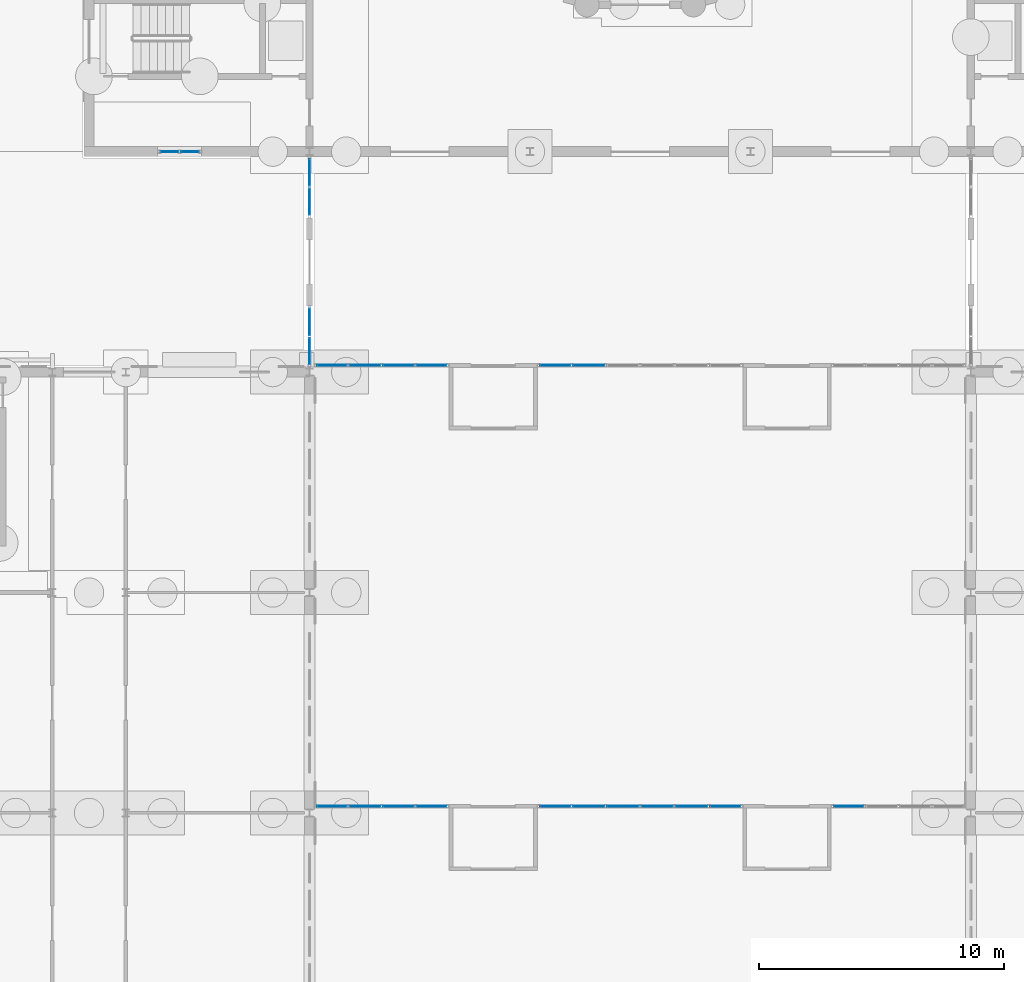
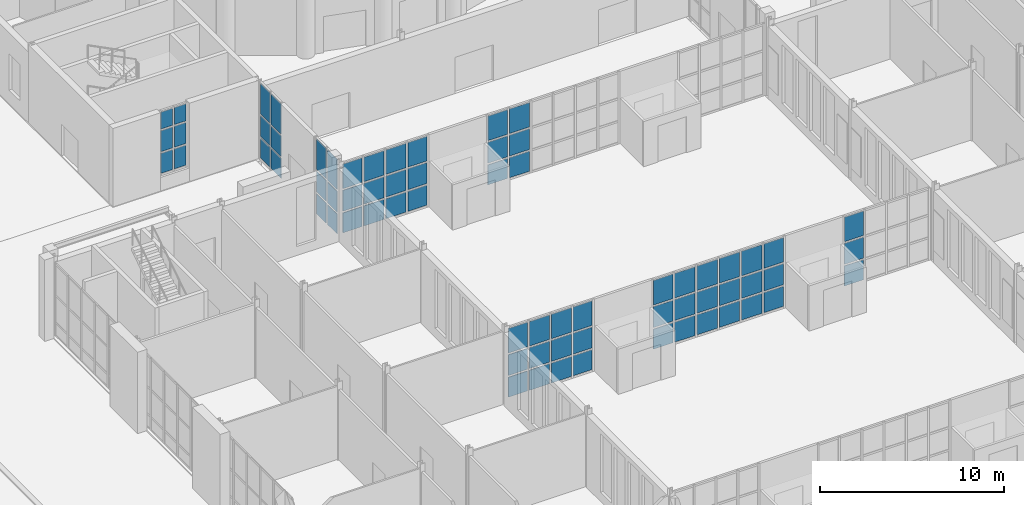
# One storey, part 77 of 168: 69 plates, 8 elements without a shape of their own.
"""IFC4 building model written with IfcOpenShell, lengths in metres."""

from ifc_helpers import new_model, si_unit, direction, frame, origin, origin_2d, place, context, subcontext, project, spatial, rectangle, extrude, material, layer, layer_set, type_object, element, aggregate, save


model = new_model("IFC4")

# Units and contexts
model_context = context("Model", 3, precision=1e-05, world=origin(), true_north=direction((0.0, 1.0)))
body_context = subcontext(model_context, "Body", "Model", "MODEL_VIEW")
ifc_project = project(units=[si_unit("LENGTHUNIT", "METRE"), si_unit("AREAUNIT", "SQUARE_METRE"), si_unit("VOLUMEUNIT", "CUBIC_METRE"), si_unit("PLANEANGLEUNIT", "RADIAN"), si_unit("MASSUNIT", "GRAM", prefix="KILO")], contexts=[model_context])

# Site, building, storey
site_placement = place(None, origin())
site = spatial("IfcSite", under=ifc_project, at=site_placement, CompositionType="ELEMENT")
building_placement = place(site_placement, origin())
building = spatial("IfcBuilding", under=site, at=building_placement, Name="Golden Quay Civic Hall", CompositionType="ELEMENT")
storey_placement = place(building_placement, origin())
storey = spatial("IfcBuildingStorey", under=building, at=storey_placement, Name="L00", CompositionType="ELEMENT", Elevation=0.0)

# Curtain wall, plates
ifc_material_1 = material(Name="Fire-resisting glass and steel", Category="steel")
curtain_wall_type_1 = type_object("IfcCurtainWallType", Name="Fire-resisting glazed curtain wall EI 120", PredefinedType="NOTDEFINED", material=ifc_material_1)
curtain_wall_1_placement = place(storey_placement, origin())
curtain_wall_1 = element("IfcCurtainWall", 1, at=curtain_wall_1_placement, inside=storey, type_object=curtain_wall_type_1, Name="CW3 curtain wall", PredefinedType="NOTDEFINED")
ifc_material_2 = material(Name="Fire-resisting laminated glass", Category="glass")
ifc_layer_1 = layer(ifc_material_2, 0.0400390625)
ifc_layer_set_1 = layer_set([ifc_layer_1], Name="Fire-resisting glazed panel 40")
plate_type_1 = type_object("IfcPlateType", Name="Fire-resisting glazed panel 40", PredefinedType="CURTAIN_PANEL", material=ifc_layer_set_1)
plate_1_placement = place(storey_placement, frame((72.91748046875, 36.27001953125, 0.1201171875), z_axis=(0.0, 0.0, 1.0), x_axis=(1.0, 0.0, 0.0)))
plate_1 = element("IfcPlate", 2, at=plate_1_placement, type_object=plate_type_1, Name="CW3 panel 1.1", PredefinedType="CURTAIN_PANEL", context=body_context, shape_type="SweptSolid", body=[
    extrude(rectangle(XDim=1.195068359375, YDim=0.0400390625, at=origin_2d()), origin(), (0.0, 0.0, 1.0), 1.320068359375),
])
plate_2_placement = place(storey_placement, frame((72.91748046875, 36.27001953125, 1.56005859375), z_axis=(0.0, 0.0, 1.0), x_axis=(1.0, 0.0, 0.0)))
plate_2 = element("IfcPlate", 3, at=plate_2_placement, type_object=plate_type_1, Name="CW3 panel 1.2", PredefinedType="CURTAIN_PANEL", context=body_context, shape_type="SweptSolid", body=[
    extrude(rectangle(XDim=1.195068359375, YDim=0.0400390625, at=origin_2d()), origin(), (0.0, 0.0, 1.0), 1.3798828125),
])
plate_3_placement = place(storey_placement, frame((72.91748046875, 36.27001953125, 3.06005859375), z_axis=(0.0, 0.0, 1.0), x_axis=(1.0, 0.0, 0.0)))
plate_3 = element("IfcPlate", 4, at=plate_3_placement, type_object=plate_type_1, Name="CW3 panel 1.3", PredefinedType="CURTAIN_PANEL", context=body_context, shape_type="SweptSolid", body=[
    extrude(rectangle(XDim=1.195068359375, YDim=0.0400390625, at=origin_2d()), origin(), (0.0, 0.0, 1.0), 1.6201171875),
])
plate_4_placement = place(storey_placement, frame((74.262451171875, 36.27001953125, 0.1201171875), z_axis=(0.0, 0.0, 1.0), x_axis=(1.0, 0.0, 0.0)))
plate_4 = element("IfcPlate", 5, at=plate_4_placement, type_object=plate_type_1, Name="CW3 panel 2.1", PredefinedType="CURTAIN_PANEL", context=body_context, shape_type="SweptSolid", body=[
    extrude(rectangle(XDim=1.2548828125, YDim=0.0400390625, at=origin_2d()), origin(), (0.0, 0.0, 1.0), 1.320068359375),
])
plate_5_placement = place(storey_placement, frame((74.262451171875, 36.27001953125, 1.56005859375), z_axis=(0.0, 0.0, 1.0), x_axis=(1.0, 0.0, 0.0)))
plate_5 = element("IfcPlate", 6, at=plate_5_placement, type_object=plate_type_1, Name="CW3 panel 2.2", PredefinedType="CURTAIN_PANEL", context=body_context, shape_type="SweptSolid", body=[
    extrude(rectangle(XDim=1.2548828125, YDim=0.0400390625, at=origin_2d()), origin(), (0.0, 0.0, 1.0), 1.3798828125),
])
plate_6_placement = place(storey_placement, frame((74.262451171875, 36.27001953125, 3.06005859375), z_axis=(0.0, 0.0, 1.0), x_axis=(1.0, 0.0, 0.0)))
plate_6 = element("IfcPlate", 7, at=plate_6_placement, type_object=plate_type_1, Name="CW3 panel 2.3", PredefinedType="CURTAIN_PANEL", context=body_context, shape_type="SweptSolid", body=[
    extrude(rectangle(XDim=1.2548828125, YDim=0.0400390625, at=origin_2d()), origin(), (0.0, 0.0, 1.0), 1.6201171875),
])
plate_7_placement = place(storey_placement, frame((75.637451171875, 36.27001953125, 0.1201171875), z_axis=(0.0, 0.0, 1.0), x_axis=(1.0, 0.0, 0.0)))
plate_7 = element("IfcPlate", 8, at=plate_7_placement, type_object=plate_type_1, Name="CW3 panel 3.1", PredefinedType="CURTAIN_PANEL", context=body_context, shape_type="SweptSolid", body=[
    extrude(rectangle(XDim=1.2548828125, YDim=0.0400390625, at=origin_2d()), origin(), (0.0, 0.0, 1.0), 1.320068359375),
])
plate_8_placement = place(storey_placement, frame((75.637451171875, 36.27001953125, 1.56005859375), z_axis=(0.0, 0.0, 1.0), x_axis=(1.0, 0.0, 0.0)))
plate_8 = element("IfcPlate", 9, at=plate_8_placement, type_object=plate_type_1, Name="CW3 panel 3.2", PredefinedType="CURTAIN_PANEL", context=body_context, shape_type="SweptSolid", body=[
    extrude(rectangle(XDim=1.2548828125, YDim=0.0400390625, at=origin_2d()), origin(), (0.0, 0.0, 1.0), 1.3798828125),
])
plate_9_placement = place(storey_placement, frame((75.637451171875, 36.27001953125, 3.06005859375), z_axis=(0.0, 0.0, 1.0), x_axis=(1.0, 0.0, 0.0)))
plate_9 = element("IfcPlate", 10, at=plate_9_placement, type_object=plate_type_1, Name="CW3 panel 3.3", PredefinedType="CURTAIN_PANEL", context=body_context, shape_type="SweptSolid", body=[
    extrude(rectangle(XDim=1.2548828125, YDim=0.0400390625, at=origin_2d()), origin(), (0.0, 0.0, 1.0), 1.6201171875),
])
plate_10_placement = place(storey_placement, frame((76.982421875, 36.27001953125, 0.1201171875), z_axis=(0.0, 0.0, 1.0), x_axis=(1.0, 0.0, 0.0)))
plate_10 = element("IfcPlate", 11, at=plate_10_placement, type_object=plate_type_1, Name="CW3 panel 4.1", PredefinedType="CURTAIN_PANEL", context=body_context, shape_type="SweptSolid", body=[
    extrude(rectangle(XDim=1.195068359375, YDim=0.0400390625, at=origin_2d()), origin(), (0.0, 0.0, 1.0), 1.320068359375),
])
plate_11_placement = place(storey_placement, frame((76.982421875, 36.27001953125, 1.56005859375), z_axis=(0.0, 0.0, 1.0), x_axis=(1.0, 0.0, 0.0)))
plate_11 = element("IfcPlate", 12, at=plate_11_placement, type_object=plate_type_1, Name="CW3 panel 4.2", PredefinedType="CURTAIN_PANEL", context=body_context, shape_type="SweptSolid", body=[
    extrude(rectangle(XDim=1.195068359375, YDim=0.0400390625, at=origin_2d()), origin(), (0.0, 0.0, 1.0), 1.3798828125),
])
plate_12_placement = place(storey_placement, frame((76.982421875, 36.27001953125, 3.06005859375), z_axis=(0.0, 0.0, 1.0), x_axis=(1.0, 0.0, 0.0)))
plate_12 = element("IfcPlate", 13, at=plate_12_placement, type_object=plate_type_1, Name="CW3 panel 4.3", PredefinedType="CURTAIN_PANEL", context=body_context, shape_type="SweptSolid", body=[
    extrude(rectangle(XDim=1.195068359375, YDim=0.0400390625, at=origin_2d()), origin(), (0.0, 0.0, 1.0), 1.6201171875),
])
aggregate(curtain_wall_1, [plate_1, plate_2, plate_3, plate_4, plate_5, plate_6, plate_7, plate_8, plate_9, plate_10, plate_11, plate_12])

curtain_wall_2_placement = place(storey_placement, origin())
curtain_wall_2 = element("IfcCurtainWall", 14, at=curtain_wall_2_placement, inside=storey, type_object=curtain_wall_type_1, Name="CW3 curtain wall", PredefinedType="NOTDEFINED")
plate_13_placement = place(storey_placement, frame((82.030029296875, 36.27001953125, 0.1201171875), z_axis=(0.0, 0.0, 1.0), x_axis=(1.0, 0.0, 0.0)))
plate_13 = element("IfcPlate", 15, at=plate_13_placement, type_object=plate_type_1, Name="CW3 panel 1.1", PredefinedType="CURTAIN_PANEL", context=body_context, shape_type="SweptSolid", body=[
    extrude(rectangle(XDim=1.219970703125, YDim=0.0400390625, at=origin_2d()), origin(), (0.0, 0.0, 1.0), 1.320068359375),
])
plate_14_placement = place(storey_placement, frame((82.030029296875, 36.27001953125, 1.56005859375), z_axis=(0.0, 0.0, 1.0), x_axis=(1.0, 0.0, 0.0)))
plate_14 = element("IfcPlate", 16, at=plate_14_placement, type_object=plate_type_1, Name="CW3 panel 1.2", PredefinedType="CURTAIN_PANEL", context=body_context, shape_type="SweptSolid", body=[
    extrude(rectangle(XDim=1.219970703125, YDim=0.0400390625, at=origin_2d()), origin(), (0.0, 0.0, 1.0), 1.3798828125),
])
plate_15_placement = place(storey_placement, frame((82.030029296875, 36.27001953125, 3.06005859375), z_axis=(0.0, 0.0, 1.0), x_axis=(1.0, 0.0, 0.0)))
plate_15 = element("IfcPlate", 17, at=plate_15_placement, type_object=plate_type_1, Name="CW3 panel 1.3", PredefinedType="CURTAIN_PANEL", context=body_context, shape_type="SweptSolid", body=[
    extrude(rectangle(XDim=1.219970703125, YDim=0.0400390625, at=origin_2d()), origin(), (0.0, 0.0, 1.0), 1.6201171875),
])
plate_16_placement = place(storey_placement, frame((83.39990234375, 36.27001953125, 0.1201171875), z_axis=(0.0, 0.0, 1.0), x_axis=(1.0, 0.0, 0.0)))
plate_16 = element("IfcPlate", 18, at=plate_16_placement, type_object=plate_type_1, Name="CW3 panel 2.1", PredefinedType="CURTAIN_PANEL", context=body_context, shape_type="SweptSolid", body=[
    extrude(rectangle(XDim=1.280029296875, YDim=0.0400390625, at=origin_2d()), origin(), (0.0, 0.0, 1.0), 1.320068359375),
])
plate_17_placement = place(storey_placement, frame((83.39990234375, 36.27001953125, 1.56005859375), z_axis=(0.0, 0.0, 1.0), x_axis=(1.0, 0.0, 0.0)))
plate_17 = element("IfcPlate", 19, at=plate_17_placement, type_object=plate_type_1, Name="CW3 panel 2.2", PredefinedType="CURTAIN_PANEL", context=body_context, shape_type="SweptSolid", body=[
    extrude(rectangle(XDim=1.280029296875, YDim=0.0400390625, at=origin_2d()), origin(), (0.0, 0.0, 1.0), 1.3798828125),
])
plate_18_placement = place(storey_placement, frame((83.39990234375, 36.27001953125, 3.06005859375), z_axis=(0.0, 0.0, 1.0), x_axis=(1.0, 0.0, 0.0)))
plate_18 = element("IfcPlate", 20, at=plate_18_placement, type_object=plate_type_1, Name="CW3 panel 2.3", PredefinedType="CURTAIN_PANEL", context=body_context, shape_type="SweptSolid", body=[
    extrude(rectangle(XDim=1.280029296875, YDim=0.0400390625, at=origin_2d()), origin(), (0.0, 0.0, 1.0), 1.6201171875),
])
plate_19_placement = place(storey_placement, frame((84.800048828125, 36.27001953125, 0.1201171875), z_axis=(0.0, 0.0, 1.0), x_axis=(1.0, 0.0, 0.0)))
plate_19 = element("IfcPlate", 21, at=plate_19_placement, type_object=plate_type_1, Name="CW3 panel 3.1", PredefinedType="CURTAIN_PANEL", context=body_context, shape_type="SweptSolid", body=[
    extrude(rectangle(XDim=1.280029296875, YDim=0.0400390625, at=origin_2d()), origin(), (0.0, 0.0, 1.0), 1.320068359375),
])
plate_20_placement = place(storey_placement, frame((84.800048828125, 36.27001953125, 1.56005859375), z_axis=(0.0, 0.0, 1.0), x_axis=(1.0, 0.0, 0.0)))
plate_20 = element("IfcPlate", 22, at=plate_20_placement, type_object=plate_type_1, Name="CW3 panel 3.2", PredefinedType="CURTAIN_PANEL", context=body_context, shape_type="SweptSolid", body=[
    extrude(rectangle(XDim=1.280029296875, YDim=0.0400390625, at=origin_2d()), origin(), (0.0, 0.0, 1.0), 1.3798828125),
])
plate_21_placement = place(storey_placement, frame((84.800048828125, 36.27001953125, 3.06005859375), z_axis=(0.0, 0.0, 1.0), x_axis=(1.0, 0.0, 0.0)))
plate_21 = element("IfcPlate", 23, at=plate_21_placement, type_object=plate_type_1, Name="CW3 panel 3.3", PredefinedType="CURTAIN_PANEL", context=body_context, shape_type="SweptSolid", body=[
    extrude(rectangle(XDim=1.280029296875, YDim=0.0400390625, at=origin_2d()), origin(), (0.0, 0.0, 1.0), 1.6201171875),
])
plate_22_placement = place(storey_placement, frame((86.199951171875, 36.27001953125, 0.1201171875), z_axis=(0.0, 0.0, 1.0), x_axis=(1.0, 0.0, 0.0)))
plate_22 = element("IfcPlate", 24, at=plate_22_placement, type_object=plate_type_1, Name="CW3 panel 4.1", PredefinedType="CURTAIN_PANEL", context=body_context, shape_type="SweptSolid", body=[
    extrude(rectangle(XDim=1.280029296875, YDim=0.0400390625, at=origin_2d()), origin(), (0.0, 0.0, 1.0), 1.320068359375),
])
plate_23_placement = place(storey_placement, frame((86.199951171875, 36.27001953125, 1.56005859375), z_axis=(0.0, 0.0, 1.0), x_axis=(1.0, 0.0, 0.0)))
plate_23 = element("IfcPlate", 25, at=plate_23_placement, type_object=plate_type_1, Name="CW3 panel 4.2", PredefinedType="CURTAIN_PANEL", context=body_context, shape_type="SweptSolid", body=[
    extrude(rectangle(XDim=1.280029296875, YDim=0.0400390625, at=origin_2d()), origin(), (0.0, 0.0, 1.0), 1.3798828125),
])
plate_24_placement = place(storey_placement, frame((86.199951171875, 36.27001953125, 3.06005859375), z_axis=(0.0, 0.0, 1.0), x_axis=(1.0, 0.0, 0.0)))
plate_24 = element("IfcPlate", 26, at=plate_24_placement, type_object=plate_type_1, Name="CW3 panel 4.3", PredefinedType="CURTAIN_PANEL", context=body_context, shape_type="SweptSolid", body=[
    extrude(rectangle(XDim=1.280029296875, YDim=0.0400390625, at=origin_2d()), origin(), (0.0, 0.0, 1.0), 1.6201171875),
])
plate_25_placement = place(storey_placement, frame((87.60009765625, 36.27001953125, 0.1201171875), z_axis=(0.0, 0.0, 1.0), x_axis=(1.0, 0.0, 0.0)))
plate_25 = element("IfcPlate", 27, at=plate_25_placement, type_object=plate_type_1, Name="CW3 panel 5.1", PredefinedType="CURTAIN_PANEL", context=body_context, shape_type="SweptSolid", body=[
    extrude(rectangle(XDim=1.280029296875, YDim=0.0400390625, at=origin_2d()), origin(), (0.0, 0.0, 1.0), 1.320068359375),
])
plate_26_placement = place(storey_placement, frame((87.60009765625, 36.27001953125, 1.56005859375), z_axis=(0.0, 0.0, 1.0), x_axis=(1.0, 0.0, 0.0)))
plate_26 = element("IfcPlate", 28, at=plate_26_placement, type_object=plate_type_1, Name="CW3 panel 5.2", PredefinedType="CURTAIN_PANEL", context=body_context, shape_type="SweptSolid", body=[
    extrude(rectangle(XDim=1.280029296875, YDim=0.0400390625, at=origin_2d()), origin(), (0.0, 0.0, 1.0), 1.3798828125),
])
plate_27_placement = place(storey_placement, frame((87.60009765625, 36.27001953125, 3.06005859375), z_axis=(0.0, 0.0, 1.0), x_axis=(1.0, 0.0, 0.0)))
plate_27 = element("IfcPlate", 29, at=plate_27_placement, type_object=plate_type_1, Name="CW3 panel 5.3", PredefinedType="CURTAIN_PANEL", context=body_context, shape_type="SweptSolid", body=[
    extrude(rectangle(XDim=1.280029296875, YDim=0.0400390625, at=origin_2d()), origin(), (0.0, 0.0, 1.0), 1.6201171875),
])
plate_28_placement = place(storey_placement, frame((88.969970703125, 36.27001953125, 0.1201171875), z_axis=(0.0, 0.0, 1.0), x_axis=(1.0, 0.0, 0.0)))
plate_28 = element("IfcPlate", 30, at=plate_28_placement, type_object=plate_type_1, Name="CW3 panel 6.1", PredefinedType="CURTAIN_PANEL", context=body_context, shape_type="SweptSolid", body=[
    extrude(rectangle(XDim=1.219970703125, YDim=0.0400390625, at=origin_2d()), origin(), (0.0, 0.0, 1.0), 1.320068359375),
])
plate_29_placement = place(storey_placement, frame((88.969970703125, 36.27001953125, 1.56005859375), z_axis=(0.0, 0.0, 1.0), x_axis=(1.0, 0.0, 0.0)))
plate_29 = element("IfcPlate", 31, at=plate_29_placement, type_object=plate_type_1, Name="CW3 panel 6.2", PredefinedType="CURTAIN_PANEL", context=body_context, shape_type="SweptSolid", body=[
    extrude(rectangle(XDim=1.219970703125, YDim=0.0400390625, at=origin_2d()), origin(), (0.0, 0.0, 1.0), 1.3798828125),
])
plate_30_placement = place(storey_placement, frame((88.969970703125, 36.27001953125, 3.06005859375), z_axis=(0.0, 0.0, 1.0), x_axis=(1.0, 0.0, 0.0)))
plate_30 = element("IfcPlate", 32, at=plate_30_placement, type_object=plate_type_1, Name="CW3 panel 6.3", PredefinedType="CURTAIN_PANEL", context=body_context, shape_type="SweptSolid", body=[
    extrude(rectangle(XDim=1.219970703125, YDim=0.0400390625, at=origin_2d()), origin(), (0.0, 0.0, 1.0), 1.6201171875),
])
aggregate(curtain_wall_2, [plate_13, plate_14, plate_15, plate_16, plate_17, plate_18, plate_19, plate_20, plate_21, plate_22, plate_23, plate_24, plate_25, plate_26, plate_27, plate_28, plate_29, plate_30])

curtain_wall_3_placement = place(storey_placement, origin())
curtain_wall_3 = element("IfcCurtainWall", 33, at=curtain_wall_3_placement, inside=storey, type_object=curtain_wall_type_1, Name="CW3 curtain wall", PredefinedType="NOTDEFINED")
plate_31_placement = place(storey_placement, frame((94.017578125, 36.27001953125, 0.1201171875), z_axis=(0.0, 0.0, 1.0), x_axis=(1.0, 0.0, 0.0)))
plate_31 = element("IfcPlate", 34, at=plate_31_placement, type_object=plate_type_1, Name="CW3 panel 1.1", PredefinedType="CURTAIN_PANEL", context=body_context, shape_type="SweptSolid", body=[
    extrude(rectangle(XDim=1.195068359375, YDim=0.0400390625, at=origin_2d()), origin(), (0.0, 0.0, 1.0), 1.320068359375),
])
plate_32_placement = place(storey_placement, frame((94.017578125, 36.27001953125, 1.56005859375), z_axis=(0.0, 0.0, 1.0), x_axis=(1.0, 0.0, 0.0)))
plate_32 = element("IfcPlate", 35, at=plate_32_placement, type_object=plate_type_1, Name="CW3 panel 1.2", PredefinedType="CURTAIN_PANEL", context=body_context, shape_type="SweptSolid", body=[
    extrude(rectangle(XDim=1.195068359375, YDim=0.0400390625, at=origin_2d()), origin(), (0.0, 0.0, 1.0), 1.3798828125),
])
plate_33_placement = place(storey_placement, frame((94.017578125, 36.27001953125, 3.06005859375), z_axis=(0.0, 0.0, 1.0), x_axis=(1.0, 0.0, 0.0)))
plate_33 = element("IfcPlate", 36, at=plate_33_placement, type_object=plate_type_1, Name="CW3 panel 1.3", PredefinedType="CURTAIN_PANEL", context=body_context, shape_type="SweptSolid", body=[
    extrude(rectangle(XDim=1.195068359375, YDim=0.0400390625, at=origin_2d()), origin(), (0.0, 0.0, 1.0), 1.6201171875),
])
aggregate(curtain_wall_3, [plate_31, plate_32, plate_33])

curtain_wall_4_placement = place(storey_placement, origin())
curtain_wall_4 = element("IfcCurtainWall", 37, at=curtain_wall_4_placement, inside=storey, type_object=curtain_wall_type_1, Name="CW3 curtain wall", PredefinedType="NOTDEFINED")
plate_34_placement = place(storey_placement, frame((72.91748046875, 54.27001953125, 0.1201171875), z_axis=(0.0, 0.0, 1.0), x_axis=(1.0, 0.0, 0.0)))
plate_34 = element("IfcPlate", 38, at=plate_34_placement, type_object=plate_type_1, Name="CW3 panel 1.1", PredefinedType="CURTAIN_PANEL", context=body_context, shape_type="SweptSolid", body=[
    extrude(rectangle(XDim=1.195068359375, YDim=0.0400390625, at=origin_2d()), origin(), (0.0, 0.0, 1.0), 1.320068359375),
])
plate_35_placement = place(storey_placement, frame((72.91748046875, 54.27001953125, 1.56005859375), z_axis=(0.0, 0.0, 1.0), x_axis=(1.0, 0.0, 0.0)))
plate_35 = element("IfcPlate", 39, at=plate_35_placement, type_object=plate_type_1, Name="CW3 panel 1.2", PredefinedType="CURTAIN_PANEL", context=body_context, shape_type="SweptSolid", body=[
    extrude(rectangle(XDim=1.195068359375, YDim=0.0400390625, at=origin_2d()), origin(), (0.0, 0.0, 1.0), 1.3798828125),
])
plate_36_placement = place(storey_placement, frame((72.91748046875, 54.27001953125, 3.06005859375), z_axis=(0.0, 0.0, 1.0), x_axis=(1.0, 0.0, 0.0)))
plate_36 = element("IfcPlate", 40, at=plate_36_placement, type_object=plate_type_1, Name="CW3 panel 1.3", PredefinedType="CURTAIN_PANEL", context=body_context, shape_type="SweptSolid", body=[
    extrude(rectangle(XDim=1.195068359375, YDim=0.0400390625, at=origin_2d()), origin(), (0.0, 0.0, 1.0), 1.6201171875),
])
plate_37_placement = place(storey_placement, frame((74.262451171875, 54.27001953125, 0.1201171875), z_axis=(0.0, 0.0, 1.0), x_axis=(1.0, 0.0, 0.0)))
plate_37 = element("IfcPlate", 41, at=plate_37_placement, type_object=plate_type_1, Name="CW3 panel 2.1", PredefinedType="CURTAIN_PANEL", context=body_context, shape_type="SweptSolid", body=[
    extrude(rectangle(XDim=1.2548828125, YDim=0.0400390625, at=origin_2d()), origin(), (0.0, 0.0, 1.0), 1.320068359375),
])
plate_38_placement = place(storey_placement, frame((74.262451171875, 54.27001953125, 1.56005859375), z_axis=(0.0, 0.0, 1.0), x_axis=(1.0, 0.0, 0.0)))
plate_38 = element("IfcPlate", 42, at=plate_38_placement, type_object=plate_type_1, Name="CW3 panel 2.2", PredefinedType="CURTAIN_PANEL", context=body_context, shape_type="SweptSolid", body=[
    extrude(rectangle(XDim=1.2548828125, YDim=0.0400390625, at=origin_2d()), origin(), (0.0, 0.0, 1.0), 1.3798828125),
])
plate_39_placement = place(storey_placement, frame((74.262451171875, 54.27001953125, 3.06005859375), z_axis=(0.0, 0.0, 1.0), x_axis=(1.0, 0.0, 0.0)))
plate_39 = element("IfcPlate", 43, at=plate_39_placement, type_object=plate_type_1, Name="CW3 panel 2.3", PredefinedType="CURTAIN_PANEL", context=body_context, shape_type="SweptSolid", body=[
    extrude(rectangle(XDim=1.2548828125, YDim=0.0400390625, at=origin_2d()), origin(), (0.0, 0.0, 1.0), 1.6201171875),
])
plate_40_placement = place(storey_placement, frame((75.637451171875, 54.27001953125, 0.1201171875), z_axis=(0.0, 0.0, 1.0), x_axis=(1.0, 0.0, 0.0)))
plate_40 = element("IfcPlate", 44, at=plate_40_placement, type_object=plate_type_1, Name="CW3 panel 3.1", PredefinedType="CURTAIN_PANEL", context=body_context, shape_type="SweptSolid", body=[
    extrude(rectangle(XDim=1.2548828125, YDim=0.0400390625, at=origin_2d()), origin(), (0.0, 0.0, 1.0), 1.320068359375),
])
plate_41_placement = place(storey_placement, frame((75.637451171875, 54.27001953125, 1.56005859375), z_axis=(0.0, 0.0, 1.0), x_axis=(1.0, 0.0, 0.0)))
plate_41 = element("IfcPlate", 45, at=plate_41_placement, type_object=plate_type_1, Name="CW3 panel 3.2", PredefinedType="CURTAIN_PANEL", context=body_context, shape_type="SweptSolid", body=[
    extrude(rectangle(XDim=1.2548828125, YDim=0.0400390625, at=origin_2d()), origin(), (0.0, 0.0, 1.0), 1.3798828125),
])
plate_42_placement = place(storey_placement, frame((75.637451171875, 54.27001953125, 3.06005859375), z_axis=(0.0, 0.0, 1.0), x_axis=(1.0, 0.0, 0.0)))
plate_42 = element("IfcPlate", 46, at=plate_42_placement, type_object=plate_type_1, Name="CW3 panel 3.3", PredefinedType="CURTAIN_PANEL", context=body_context, shape_type="SweptSolid", body=[
    extrude(rectangle(XDim=1.2548828125, YDim=0.0400390625, at=origin_2d()), origin(), (0.0, 0.0, 1.0), 1.6201171875),
])
plate_43_placement = place(storey_placement, frame((76.982421875, 54.27001953125, 0.1201171875), z_axis=(0.0, 0.0, 1.0), x_axis=(1.0, 0.0, 0.0)))
plate_43 = element("IfcPlate", 47, at=plate_43_placement, type_object=plate_type_1, Name="CW3 panel 4.1", PredefinedType="CURTAIN_PANEL", context=body_context, shape_type="SweptSolid", body=[
    extrude(rectangle(XDim=1.195068359375, YDim=0.0400390625, at=origin_2d()), origin(), (0.0, 0.0, 1.0), 1.320068359375),
])
plate_44_placement = place(storey_placement, frame((76.982421875, 54.27001953125, 1.56005859375), z_axis=(0.0, 0.0, 1.0), x_axis=(1.0, 0.0, 0.0)))
plate_44 = element("IfcPlate", 48, at=plate_44_placement, type_object=plate_type_1, Name="CW3 panel 4.2", PredefinedType="CURTAIN_PANEL", context=body_context, shape_type="SweptSolid", body=[
    extrude(rectangle(XDim=1.195068359375, YDim=0.0400390625, at=origin_2d()), origin(), (0.0, 0.0, 1.0), 1.3798828125),
])
plate_45_placement = place(storey_placement, frame((76.982421875, 54.27001953125, 3.06005859375), z_axis=(0.0, 0.0, 1.0), x_axis=(1.0, 0.0, 0.0)))
plate_45 = element("IfcPlate", 49, at=plate_45_placement, type_object=plate_type_1, Name="CW3 panel 4.3", PredefinedType="CURTAIN_PANEL", context=body_context, shape_type="SweptSolid", body=[
    extrude(rectangle(XDim=1.195068359375, YDim=0.0400390625, at=origin_2d()), origin(), (0.0, 0.0, 1.0), 1.6201171875),
])
aggregate(curtain_wall_4, [plate_34, plate_35, plate_36, plate_37, plate_38, plate_39, plate_40, plate_41, plate_42, plate_43, plate_44, plate_45])

curtain_wall_5_placement = place(storey_placement, origin())
curtain_wall_5 = element("IfcCurtainWall", 50, at=curtain_wall_5_placement, inside=storey, type_object=curtain_wall_type_1, Name="CW3 curtain wall", PredefinedType="NOTDEFINED")
plate_46_placement = place(storey_placement, frame((82.030029296875, 54.27001953125, 0.1201171875), z_axis=(0.0, 0.0, 1.0), x_axis=(1.0, 0.0, 0.0)))
plate_46 = element("IfcPlate", 51, at=plate_46_placement, type_object=plate_type_1, Name="CW3 panel 1.1", PredefinedType="CURTAIN_PANEL", context=body_context, shape_type="SweptSolid", body=[
    extrude(rectangle(XDim=1.219970703125, YDim=0.0400390625, at=origin_2d()), origin(), (0.0, 0.0, 1.0), 1.320068359375),
])
plate_47_placement = place(storey_placement, frame((82.030029296875, 54.27001953125, 1.56005859375), z_axis=(0.0, 0.0, 1.0), x_axis=(1.0, 0.0, 0.0)))
plate_47 = element("IfcPlate", 52, at=plate_47_placement, type_object=plate_type_1, Name="CW3 panel 1.2", PredefinedType="CURTAIN_PANEL", context=body_context, shape_type="SweptSolid", body=[
    extrude(rectangle(XDim=1.219970703125, YDim=0.0400390625, at=origin_2d()), origin(), (0.0, 0.0, 1.0), 1.3798828125),
])
plate_48_placement = place(storey_placement, frame((82.030029296875, 54.27001953125, 3.06005859375), z_axis=(0.0, 0.0, 1.0), x_axis=(1.0, 0.0, 0.0)))
plate_48 = element("IfcPlate", 53, at=plate_48_placement, type_object=plate_type_1, Name="CW3 panel 1.3", PredefinedType="CURTAIN_PANEL", context=body_context, shape_type="SweptSolid", body=[
    extrude(rectangle(XDim=1.219970703125, YDim=0.0400390625, at=origin_2d()), origin(), (0.0, 0.0, 1.0), 1.6201171875),
])
plate_49_placement = place(storey_placement, frame((83.39990234375, 54.27001953125, 0.1201171875), z_axis=(0.0, 0.0, 1.0), x_axis=(1.0, 0.0, 0.0)))
plate_49 = element("IfcPlate", 54, at=plate_49_placement, type_object=plate_type_1, Name="CW3 panel 2.1", PredefinedType="CURTAIN_PANEL", context=body_context, shape_type="SweptSolid", body=[
    extrude(rectangle(XDim=1.280029296875, YDim=0.0400390625, at=origin_2d()), origin(), (0.0, 0.0, 1.0), 1.320068359375),
])
plate_50_placement = place(storey_placement, frame((83.39990234375, 54.27001953125, 1.56005859375), z_axis=(0.0, 0.0, 1.0), x_axis=(1.0, 0.0, 0.0)))
plate_50 = element("IfcPlate", 55, at=plate_50_placement, type_object=plate_type_1, Name="CW3 panel 2.2", PredefinedType="CURTAIN_PANEL", context=body_context, shape_type="SweptSolid", body=[
    extrude(rectangle(XDim=1.280029296875, YDim=0.0400390625, at=origin_2d()), origin(), (0.0, 0.0, 1.0), 1.3798828125),
])
plate_51_placement = place(storey_placement, frame((83.39990234375, 54.27001953125, 3.06005859375), z_axis=(0.0, 0.0, 1.0), x_axis=(1.0, 0.0, 0.0)))
plate_51 = element("IfcPlate", 56, at=plate_51_placement, type_object=plate_type_1, Name="CW3 panel 2.3", PredefinedType="CURTAIN_PANEL", context=body_context, shape_type="SweptSolid", body=[
    extrude(rectangle(XDim=1.280029296875, YDim=0.0400390625, at=origin_2d()), origin(), (0.0, 0.0, 1.0), 1.6201171875),
])
aggregate(curtain_wall_5, [plate_46, plate_47, plate_48, plate_49, plate_50, plate_51])

ifc_material_3 = material(Name="Fire-resisting glass and steel", Category="steel")
curtain_wall_type_2 = type_object("IfcCurtainWallType", Name="Fire-resisting glazed stair curtain wall EI 120", PredefinedType="NOTDEFINED", material=ifc_material_3)
curtain_wall_6_placement = place(storey_placement, origin())
curtain_wall_6 = element("IfcCurtainWall", 57, at=curtain_wall_6_placement, inside=storey, type_object=curtain_wall_type_2, Name="CW4 stair curtain wall", PredefinedType="NOTDEFINED")
ifc_material_4 = material(Name="Fire-resisting laminated glass", Category="glass")
ifc_layer_2 = layer(ifc_material_4, 0.0400390625)
ifc_layer_set_2 = layer_set([ifc_layer_2], Name="Fire-resisting glazed stair panel 40")
plate_type_2 = type_object("IfcPlateType", Name="Fire-resisting glazed stair panel 40", PredefinedType="CURTAIN_PANEL", material=ifc_layer_set_2)
plate_52_placement = place(storey_placement, frame((66.280029296875, 63.0, 1.02001953125), z_axis=(0.0, 0.0, 1.0), x_axis=(1.0, 0.0, 0.0)))
plate_52 = element("IfcPlate", 58, at=plate_52_placement, type_object=plate_type_2, Name="CW4 panel 1.1", PredefinedType="CURTAIN_PANEL", context=body_context, shape_type="SweptSolid", body=[
    extrude(rectangle(XDim=0.719970703125, YDim=0.0400390625, at=origin_2d()), origin(), (0.0, 0.0, 1.0), 1.320068359375),
])
plate_53_placement = place(storey_placement, frame((66.280029296875, 63.0, 2.4599609375), z_axis=(0.0, 0.0, 1.0), x_axis=(1.0, 0.0, 0.0)))
plate_53 = element("IfcPlate", 59, at=plate_53_placement, type_object=plate_type_2, Name="CW4 panel 1.2", PredefinedType="CURTAIN_PANEL", context=body_context, shape_type="SweptSolid", body=[
    extrude(rectangle(XDim=0.719970703125, YDim=0.0400390625, at=origin_2d()), origin(), (0.0, 0.0, 1.0), 1.3798828125),
])
plate_54_placement = place(storey_placement, frame((66.280029296875, 63.0, 3.9599609375), z_axis=(0.0, 0.0, 1.0), x_axis=(1.0, 0.0, 0.0)))
plate_54 = element("IfcPlate", 60, at=plate_54_placement, type_object=plate_type_2, Name="CW4 panel 1.3", PredefinedType="CURTAIN_PANEL", context=body_context, shape_type="SweptSolid", body=[
    extrude(rectangle(XDim=0.719970703125, YDim=0.0400390625, at=origin_2d()), origin(), (0.0, 0.0, 1.0), 1.1201171875),
])
plate_55_placement = place(storey_placement, frame((67.1201171875, 63.0, 1.02001953125), z_axis=(0.0, 0.0, 1.0), x_axis=(1.0, 0.0, 0.0)))
plate_55 = element("IfcPlate", 61, at=plate_55_placement, type_object=plate_type_2, Name="CW4 panel 2.1", PredefinedType="CURTAIN_PANEL", context=body_context, shape_type="SweptSolid", body=[
    extrude(rectangle(XDim=0.719970703125, YDim=0.0400390625, at=origin_2d()), origin(), (0.0, 0.0, 1.0), 1.320068359375),
])
plate_56_placement = place(storey_placement, frame((67.1201171875, 63.0, 2.4599609375), z_axis=(0.0, 0.0, 1.0), x_axis=(1.0, 0.0, 0.0)))
plate_56 = element("IfcPlate", 62, at=plate_56_placement, type_object=plate_type_2, Name="CW4 panel 2.2", PredefinedType="CURTAIN_PANEL", context=body_context, shape_type="SweptSolid", body=[
    extrude(rectangle(XDim=0.719970703125, YDim=0.0400390625, at=origin_2d()), origin(), (0.0, 0.0, 1.0), 1.3798828125),
])
plate_57_placement = place(storey_placement, frame((67.1201171875, 63.0, 3.9599609375), z_axis=(0.0, 0.0, 1.0), x_axis=(1.0, 0.0, 0.0)))
plate_57 = element("IfcPlate", 63, at=plate_57_placement, type_object=plate_type_2, Name="CW4 panel 2.3", PredefinedType="CURTAIN_PANEL", context=body_context, shape_type="SweptSolid", body=[
    extrude(rectangle(XDim=0.719970703125, YDim=0.0400390625, at=origin_2d()), origin(), (0.0, 0.0, 1.0), 1.1201171875),
])
aggregate(curtain_wall_6, [plate_52, plate_53, plate_54, plate_55, plate_56, plate_57])

ifc_material_5 = material(Name="Glass and aluminium", Category="aluminium")
curtain_wall_type_3 = type_object("IfcCurtainWallType", Name="Glazed curtain wall 1500 module", PredefinedType="NOTDEFINED", material=ifc_material_5)
curtain_wall_7_placement = place(storey_placement, origin())
curtain_wall_7 = element("IfcCurtainWall", 64, at=curtain_wall_7_placement, inside=storey, type_object=curtain_wall_type_3, Name="CW1 curtain wall", PredefinedType="NOTDEFINED")
ifc_material_6 = material(Name="Laminated glass", Category="glass")
ifc_layer_3 = layer(ifc_material_6, 0.028076171875)
ifc_layer_set_3 = layer_set([ifc_layer_3], Name="Laminated glass panel 28")
plate_type_3 = type_object("IfcPlateType", Name="Laminated glass panel 28", PredefinedType="CURTAIN_PANEL", material=ifc_layer_set_3)
plate_58_placement = place(storey_placement, frame((72.0, 54.85498046875, 0.1201171875), z_axis=(0.0, 0.0, 1.0), x_axis=(0.0, 1.0, 0.0)))
plate_58 = element("IfcPlate", 65, at=plate_58_placement, type_object=plate_type_3, Name="CW1 panel 1.1", PredefinedType="CURTAIN_PANEL", context=body_context, shape_type="SweptSolid", body=[
    extrude(rectangle(XDim=1.070068359375, YDim=0.028076171875, at=origin_2d()), origin(), (0.0, 0.0, 1.0), 1.320068359375),
])
plate_59_placement = place(storey_placement, frame((72.0, 54.85498046875, 1.56005859375), z_axis=(0.0, 0.0, 1.0), x_axis=(0.0, 1.0, 0.0)))
plate_59 = element("IfcPlate", 66, at=plate_59_placement, type_object=plate_type_3, Name="CW1 panel 1.2", PredefinedType="CURTAIN_PANEL", context=body_context, shape_type="SweptSolid", body=[
    extrude(rectangle(XDim=1.070068359375, YDim=0.028076171875, at=origin_2d()), origin(), (0.0, 0.0, 1.0), 1.3798828125),
])
plate_60_placement = place(storey_placement, frame((72.0, 54.85498046875, 3.06005859375), z_axis=(0.0, 0.0, 1.0), x_axis=(0.0, 1.0, 0.0)))
plate_60 = element("IfcPlate", 67, at=plate_60_placement, type_object=plate_type_3, Name="CW1 panel 1.3", PredefinedType="CURTAIN_PANEL", context=body_context, shape_type="SweptSolid", body=[
    extrude(rectangle(XDim=1.070068359375, YDim=0.028076171875, at=origin_2d()), origin(), (0.0, 0.0, 1.0), 2.02001953125),
])
plate_61_placement = place(storey_placement, frame((72.0, 56.044921875, 0.1201171875), z_axis=(0.0, 0.0, 1.0), x_axis=(0.0, 1.0, 0.0)))
plate_61 = element("IfcPlate", 68, at=plate_61_placement, type_object=plate_type_3, Name="CW1 panel 2.1", PredefinedType="CURTAIN_PANEL", context=body_context, shape_type="SweptSolid", body=[
    extrude(rectangle(XDim=1.070068359375, YDim=0.028076171875, at=origin_2d()), origin(), (0.0, 0.0, 1.0), 1.320068359375),
])
plate_62_placement = place(storey_placement, frame((72.0, 56.044921875, 1.56005859375), z_axis=(0.0, 0.0, 1.0), x_axis=(0.0, 1.0, 0.0)))
plate_62 = element("IfcPlate", 69, at=plate_62_placement, type_object=plate_type_3, Name="CW1 panel 2.2", PredefinedType="CURTAIN_PANEL", context=body_context, shape_type="SweptSolid", body=[
    extrude(rectangle(XDim=1.070068359375, YDim=0.028076171875, at=origin_2d()), origin(), (0.0, 0.0, 1.0), 1.3798828125),
])
plate_63_placement = place(storey_placement, frame((72.0, 56.044921875, 3.06005859375), z_axis=(0.0, 0.0, 1.0), x_axis=(0.0, 1.0, 0.0)))
plate_63 = element("IfcPlate", 70, at=plate_63_placement, type_object=plate_type_3, Name="CW1 panel 2.3", PredefinedType="CURTAIN_PANEL", context=body_context, shape_type="SweptSolid", body=[
    extrude(rectangle(XDim=1.070068359375, YDim=0.028076171875, at=origin_2d()), origin(), (0.0, 0.0, 1.0), 2.02001953125),
])
aggregate(curtain_wall_7, [plate_58, plate_59, plate_60, plate_61, plate_62, plate_63])

curtain_wall_8_placement = place(storey_placement, origin())
curtain_wall_8 = element("IfcCurtainWall", 71, at=curtain_wall_8_placement, inside=storey, type_object=curtain_wall_type_3, Name="CW1 curtain wall", PredefinedType="NOTDEFINED")
plate_64_placement = place(storey_placement, frame((72.0, 60.955078125, 0.1201171875), z_axis=(0.0, 0.0, 1.0), x_axis=(0.0, 1.0, 0.0)))
plate_64 = element("IfcPlate", 72, at=plate_64_placement, type_object=plate_type_3, Name="CW1 panel 1.1", PredefinedType="CURTAIN_PANEL", context=body_context, shape_type="SweptSolid", body=[
    extrude(rectangle(XDim=1.070068359375, YDim=0.028076171875, at=origin_2d()), origin(), (0.0, 0.0, 1.0), 1.320068359375),
])
plate_65_placement = place(storey_placement, frame((72.0, 60.955078125, 1.56005859375), z_axis=(0.0, 0.0, 1.0), x_axis=(0.0, 1.0, 0.0)))
plate_65 = element("IfcPlate", 73, at=plate_65_placement, type_object=plate_type_3, Name="CW1 panel 1.2", PredefinedType="CURTAIN_PANEL", context=body_context, shape_type="SweptSolid", body=[
    extrude(rectangle(XDim=1.070068359375, YDim=0.028076171875, at=origin_2d()), origin(), (0.0, 0.0, 1.0), 1.3798828125),
])
plate_66_placement = place(storey_placement, frame((72.0, 60.955078125, 3.06005859375), z_axis=(0.0, 0.0, 1.0), x_axis=(0.0, 1.0, 0.0)))
plate_66 = element("IfcPlate", 74, at=plate_66_placement, type_object=plate_type_3, Name="CW1 panel 1.3", PredefinedType="CURTAIN_PANEL", context=body_context, shape_type="SweptSolid", body=[
    extrude(rectangle(XDim=1.070068359375, YDim=0.028076171875, at=origin_2d()), origin(), (0.0, 0.0, 1.0), 2.02001953125),
])
plate_67_placement = place(storey_placement, frame((72.0, 62.14501953125, 0.1201171875), z_axis=(0.0, 0.0, 1.0), x_axis=(0.0, 1.0, 0.0)))
plate_67 = element("IfcPlate", 75, at=plate_67_placement, type_object=plate_type_3, Name="CW1 panel 2.1", PredefinedType="CURTAIN_PANEL", context=body_context, shape_type="SweptSolid", body=[
    extrude(rectangle(XDim=1.070068359375, YDim=0.028076171875, at=origin_2d()), origin(), (0.0, 0.0, 1.0), 1.320068359375),
])
plate_68_placement = place(storey_placement, frame((72.0, 62.14501953125, 1.56005859375), z_axis=(0.0, 0.0, 1.0), x_axis=(0.0, 1.0, 0.0)))
plate_68 = element("IfcPlate", 76, at=plate_68_placement, type_object=plate_type_3, Name="CW1 panel 2.2", PredefinedType="CURTAIN_PANEL", context=body_context, shape_type="SweptSolid", body=[
    extrude(rectangle(XDim=1.070068359375, YDim=0.028076171875, at=origin_2d()), origin(), (0.0, 0.0, 1.0), 1.3798828125),
])
plate_69_placement = place(storey_placement, frame((72.0, 62.14501953125, 3.06005859375), z_axis=(0.0, 0.0, 1.0), x_axis=(0.0, 1.0, 0.0)))
plate_69 = element("IfcPlate", 77, at=plate_69_placement, type_object=plate_type_3, Name="CW1 panel 2.3", PredefinedType="CURTAIN_PANEL", context=body_context, shape_type="SweptSolid", body=[
    extrude(rectangle(XDim=1.070068359375, YDim=0.028076171875, at=origin_2d()), origin(), (0.0, 0.0, 1.0), 2.02001953125),
])
aggregate(curtain_wall_8, [plate_64, plate_65, plate_66, plate_67, plate_68, plate_69])

save(model, "model.ifc")
